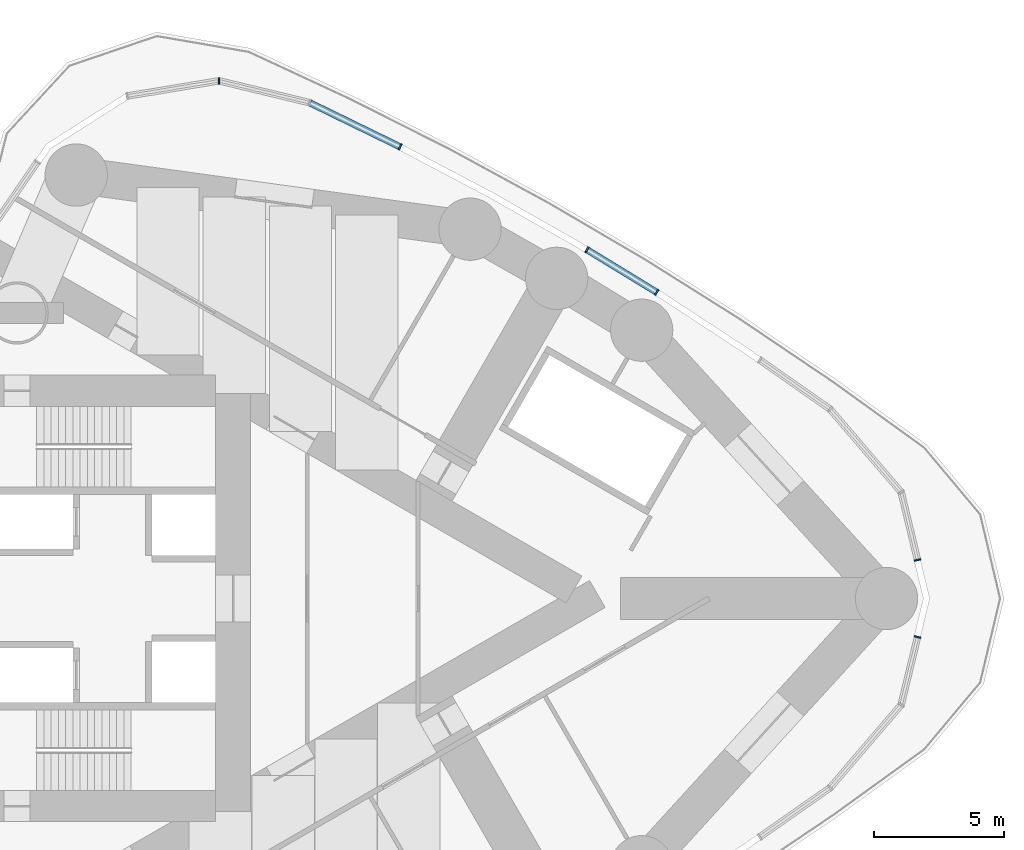
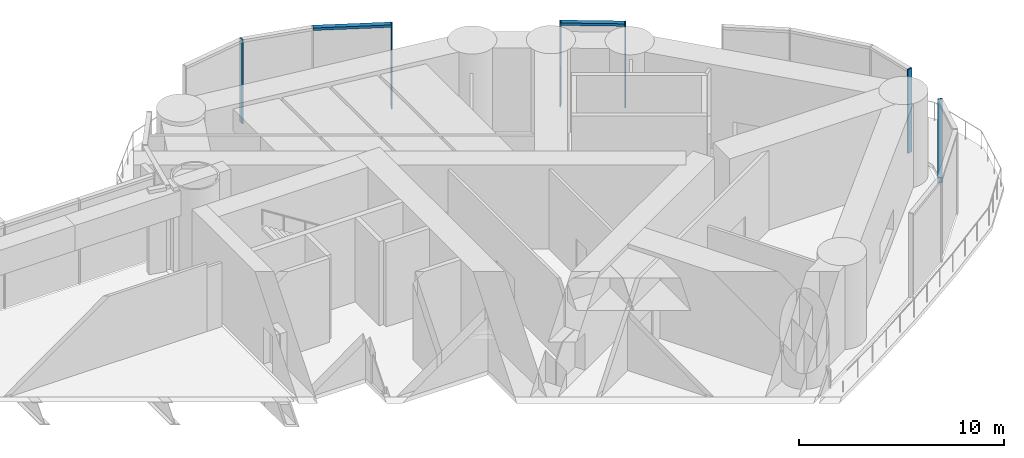
# One storey, part 12 of 22: 8 members, 4 elements without a shape of their own.
"""IFC4 building model written with IfcOpenShell, lengths in metres."""

from ifc_helpers import new_model, si_unit, direction, frame, origin, origin_2d, place, context, subcontext, project, spatial, rectangle, extrude, material, material_profile, profile_set, type_object, element, aggregate, save


model = new_model("IFC4")

# Units and contexts
model_context = context("Model", 3, precision=1e-05, world=origin(), true_north=direction((0.0, 1.0)))
body_context = subcontext(model_context, "Body", "Model", "MODEL_VIEW")
ifc_project = project(units=[si_unit("LENGTHUNIT", "METRE"), si_unit("AREAUNIT", "SQUARE_METRE"), si_unit("VOLUMEUNIT", "CUBIC_METRE"), si_unit("PLANEANGLEUNIT", "RADIAN"), si_unit("MASSUNIT", "GRAM", prefix="KILO")], contexts=[model_context])

# Site, building, storey
site_placement = place(None, origin())
site = spatial("IfcSite", under=ifc_project, at=site_placement, CompositionType="ELEMENT")
building_placement = place(site_placement, origin())
building = spatial("IfcBuilding", under=site, at=building_placement, Name="Lancet Gate Hotel", CompositionType="ELEMENT")
storey_placement = place(building_placement, frame((0.0, 0.0, 210.300048828125)))
storey = spatial("IfcBuildingStorey", under=building, at=storey_placement, Name="L56", CompositionType="ELEMENT", Elevation=210.300048828125)

# Curtain wall, member
ifc_material_1 = material(Name="Aluminium curtain wall", Category="aluminium")
curtain_wall_type = type_object("IfcCurtainWallType", Name="Refuge storey louvred curtain wall", PredefinedType="USERDEFINED", material=ifc_material_1)
curtain_wall_1_placement = place(storey_placement, origin())
curtain_wall_1 = element("IfcCurtainWall", 1, at=curtain_wall_1_placement, inside=storey, type_object=curtain_wall_type, Name="T2 L56 curtain wall 4", ObjectType="LANTERN GLAZING", PredefinedType="USERDEFINED")
ifc_material_2 = material(Name="Aluminium mullion", Category="aluminium")
ifc_material_profile_1 = material_profile(ifc_material_2, rectangle(XDim=0.06494140625, YDim=0.25, at=origin_2d()), Name="MULLION 65x250")
ifc_profile_set_1 = profile_set([ifc_material_profile_1], Name="Aluminium mullion")
member_type_1 = type_object("IfcMemberType", Name="Aluminium mullion 65x250", PredefinedType="MULLION", material=ifc_profile_set_1)
member_1_placement = place(storey_placement, frame((63.735107421875, -1.48095703125, 0.0), z_axis=(0.0, 0.0, 1.0), x_axis=(0.233916001796, 0.972256809749, 0.0)))
member_1 = element("IfcMember", 2, at=member_1_placement, type_object=member_type_1, Name="T2 L56 curtain wall 4 mullion 4", PredefinedType="MULLION", context=body_context, shape_type="SweptSolid", body=[
    extrude(rectangle(XDim=0.06494140625, YDim=0.25, at=origin_2d()), origin(), (0.0, 0.0, 1.0), 5.0),
])
aggregate(curtain_wall_1, [member_1])

curtain_wall_2_placement = place(storey_placement, origin())
curtain_wall_2 = element("IfcCurtainWall", 3, at=curtain_wall_2_placement, inside=storey, type_object=curtain_wall_type, Name="T2 L56 curtain wall 5", ObjectType="LANTERN GLAZING", PredefinedType="USERDEFINED")
member_2_placement = place(storey_placement, frame((63.735107421875, 1.48095703125, 0.0), z_axis=(0.0, 0.0, 1.0), x_axis=(-0.233916001796, 0.972256809749, 0.0)))
member_2 = element("IfcMember", 4, at=member_2_placement, type_object=member_type_1, Name="T2 L56 curtain wall 5 mullion 1", PredefinedType="MULLION", context=body_context, shape_type="SweptSolid", body=[
    extrude(rectangle(XDim=0.06494140625, YDim=0.25, at=origin_2d()), origin(), (0.0, 0.0, 1.0), 5.0),
])
aggregate(curtain_wall_2, [member_2])

# Curtain wall, members
curtain_wall_3_placement = place(storey_placement, origin())
curtain_wall_3 = element("IfcCurtainWall", 5, at=curtain_wall_3_placement, inside=storey, type_object=curtain_wall_type, Name="T2 L56 curtain wall 6", ObjectType="LANTERN GLAZING", PredefinedType="USERDEFINED")
member_3_placement = place(storey_placement, frame((53.691650390625, 11.793212890625, 0.0), z_axis=(0.0, 0.0, 1.0), x_axis=(-0.853620912967, 0.520894746513, 0.0)))
member_3 = element("IfcMember", 6, at=member_3_placement, type_object=member_type_1, Name="T2 L56 curtain wall 6 mullion 1", PredefinedType="MULLION", context=body_context, shape_type="SweptSolid", body=[
    extrude(rectangle(XDim=0.06494140625, YDim=0.25, at=origin_2d()), origin(), (0.0, 0.0, 1.0), 5.0),
])
member_4_placement = place(storey_placement, frame((50.998046875, 13.43701171875, 0.0), z_axis=(0.0, 0.0, 1.0), x_axis=(-0.853620912967, 0.520894746513, 0.0)))
member_4 = element("IfcMember", 7, at=member_4_placement, type_object=member_type_1, Name="T2 L56 curtain wall 6 mullion 2", PredefinedType="MULLION", context=body_context, shape_type="SweptSolid", body=[
    extrude(rectangle(XDim=0.06494140625, YDim=0.25, at=origin_2d()), origin(), (0.0, 0.0, 1.0), 5.0),
])

curtain_wall_4_placement = place(storey_placement, origin())
curtain_wall_4 = element("IfcCurtainWall", 8, at=curtain_wall_4_placement, inside=storey, type_object=curtain_wall_type, Name="T2 L56 curtain wall 7", ObjectType="LANTERN GLAZING", PredefinedType="USERDEFINED")
member_5_placement = place(storey_placement, frame((43.80810546875, 17.396240234375, 0.0), z_axis=(0.0, 0.0, 1.0), x_axis=(-0.898823462202, 0.438310830114, 0.0)))
member_5 = element("IfcMember", 9, at=member_5_placement, type_object=member_type_1, Name="T2 L56 curtain wall 7 mullion 1", PredefinedType="MULLION", context=body_context, shape_type="SweptSolid", body=[
    extrude(rectangle(XDim=0.06494140625, YDim=0.25, at=origin_2d()), origin(), (0.0, 0.0, 1.0), 5.0),
])
member_6_placement = place(storey_placement, frame((36.826171875, 19.942138671875, 0.0), z_axis=(0.0, 0.0, 1.0), x_axis=(-0.999342744911, 0.03625021647, 0.0)))
member_6 = element("IfcMember", 10, at=member_6_placement, type_object=member_type_1, Name="T2 L56 curtain wall 7 mullion 3", PredefinedType="MULLION", context=body_context, shape_type="SweptSolid", body=[
    extrude(rectangle(XDim=0.06494140625, YDim=0.25, at=origin_2d()), origin(), (0.0, 0.0, 1.0), 5.0),
])

# Member
ifc_material_3 = material(Name="Aluminium transom", Category="aluminium")
ifc_material_profile_2 = material_profile(ifc_material_3, rectangle(XDim=0.25, YDim=0.14990234375, at=origin_2d()), Name="TRANSOM 250x150")
ifc_profile_set_2 = profile_set([ifc_material_profile_2], Name="Aluminium transom")
member_type_2 = type_object("IfcMemberType", Name="Aluminium transom 250x150", PredefinedType="USERDEFINED", material=ifc_profile_set_2)
member_7_placement = place(storey_placement, frame((53.6640625, 11.810302734375, 4.925048828125), z_axis=(-0.853656544744, 0.520836350129, 0.0), x_axis=(-0.520836350129, -0.853656544744, 0.0)))
member_7 = element("IfcMember", 11, at=member_7_placement, type_object=member_type_2, Name="T2 L56 curtain wall 6 transom 1", ObjectType="TRANSOM", PredefinedType="USERDEFINED", context=body_context, shape_type="SweptSolid", body=[
    extrude(rectangle(XDim=0.25, YDim=0.14990234375, at=origin_2d()), origin(), (0.0, 0.0, 1.0), 3.09033203125),
])

aggregate(curtain_wall_3, [member_3, member_4, member_7])

member_8_placement = place(storey_placement, frame((43.77880859375, 17.410400390625, 4.925048828125), z_axis=(-0.898820051991, 0.438317823206, 0.0), x_axis=(-0.438317823206, -0.898820051991, 0.0)))
member_8 = element("IfcMember", 12, at=member_8_placement, type_object=member_type_2, Name="T2 L56 curtain wall 7 transom 1", ObjectType="TRANSOM", PredefinedType="USERDEFINED", context=body_context, shape_type="SweptSolid", body=[
    extrude(rectangle(XDim=0.25, YDim=0.14990234375, at=origin_2d()), origin(), (0.0, 0.0, 1.0), 3.81884765625),
])

aggregate(curtain_wall_4, [member_5, member_6, member_8])

save(model, "model.ifc")
